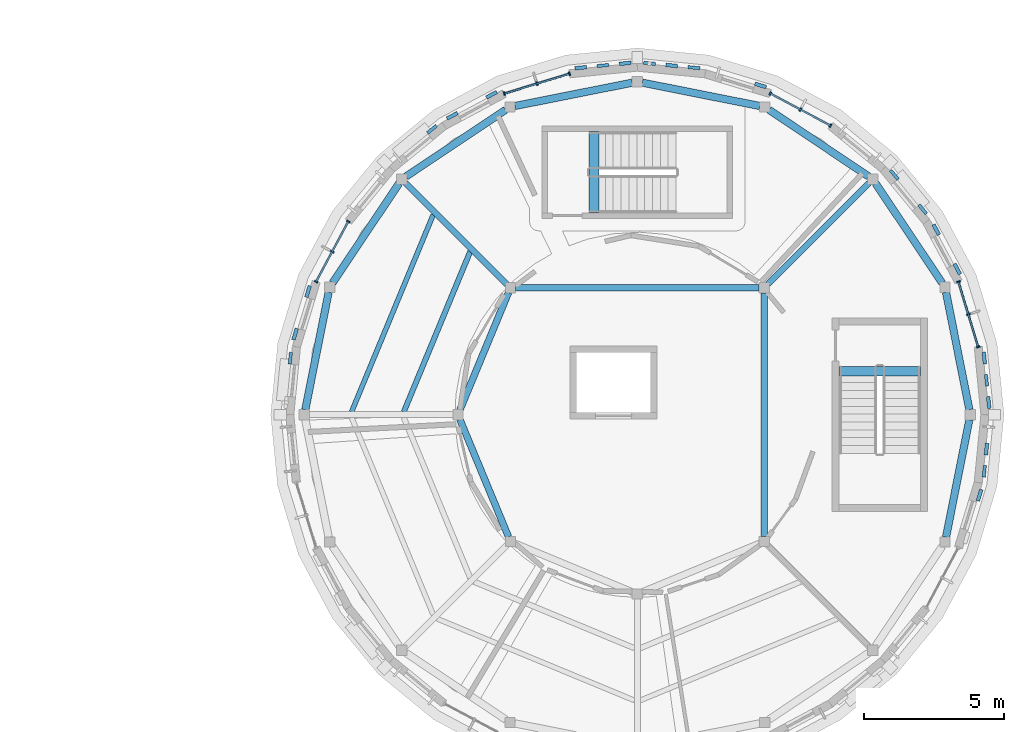
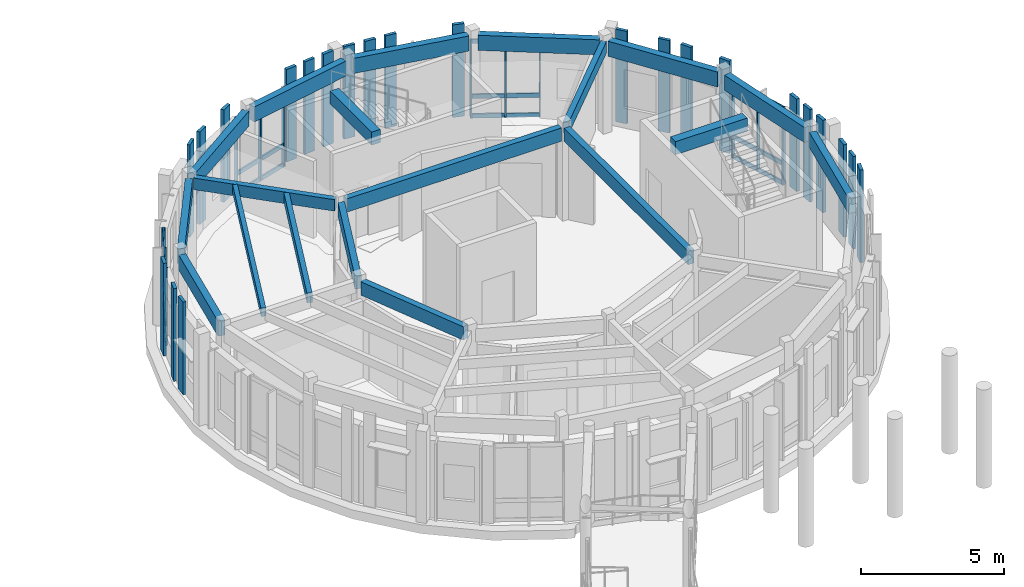
# One storey, part 29 of 80: 47 members, 19 beams, 4 elements without a shape of their own.
"""IFC4 building model written with IfcOpenShell, lengths in metres."""

from ifc_helpers import new_model, si_unit, direction, frame, origin, origin_2d, place, context, subcontext, project, spatial, rectangle, extrude, material, layer, layer_set, material_profile, profile_set, type_object, element, aggregate, save


model = new_model("IFC4")

# Units and contexts
model_context = context("Model", 3, precision=1e-05, world=origin(), true_north=direction((0.0, 1.0)))
body_context = subcontext(model_context, "Body", "Model", "MODEL_VIEW")
ifc_project = project(units=[si_unit("LENGTHUNIT", "METRE"), si_unit("AREAUNIT", "SQUARE_METRE"), si_unit("VOLUMEUNIT", "CUBIC_METRE"), si_unit("PLANEANGLEUNIT", "RADIAN"), si_unit("MASSUNIT", "GRAM", prefix="KILO")], contexts=[model_context])

# Site, building, storey
site_placement = place(None, origin())
site = spatial("IfcSite", under=ifc_project, at=site_placement, CompositionType="ELEMENT")
building_placement = place(site_placement, origin())
building = spatial("IfcBuilding", under=site, at=building_placement, Name="Aldenvaro Health Centre", CompositionType="ELEMENT")
storey_placement = place(building_placement, frame((0.0, 0.0, 4.550048828125)))
storey = spatial("IfcBuildingStorey", under=building, at=storey_placement, Name="L01", CompositionType="ELEMENT", Elevation=4.550048828125)

# Beams
ifc_material_1 = material(Name="Glulam GL28h", Category="wood")
ifc_material_profile_1 = material_profile(ifc_material_1, rectangle(XDim=0.175048828125, YDim=0.35009765625, at=origin_2d()), Name="GL 175x350", Category="wood")
ifc_profile_set_1 = profile_set([ifc_material_profile_1], Name="Glulam GL28h")
beam_type_1 = type_object("IfcBeamType", Name="BM-GL-350", PredefinedType="JOIST", material=ifc_profile_set_1)
beam_1_placement = place(storey_placement, frame((147.220947265625, 106.637939453125, 3.780029296875), z_axis=(-0.382732904244, -0.923859039036, 0.0), x_axis=(0.923859039036, -0.382732904244, 0.0)))
element("IfcBeam", 1, at=beam_1_placement, inside=storey, type_object=beam_type_1, Name="D2 L01 secondary joist 02.2", PredefinedType="JOIST", context=body_context, shape_type="SweptSolid", body=[
    extrude(rectangle(XDim=0.175048828125, YDim=0.35009765625, at=origin_2d()), origin(), (0.0, 0.0, 1.0), 7.618896484375),
])
ifc_material_profile_2 = material_profile(ifc_material_1, rectangle(XDim=0.18994140625, YDim=0.41796875, at=origin_2d()), Name="GL 190x418", Category="wood")
ifc_profile_set_2 = profile_set([ifc_material_profile_2], Name="Glulam GL28h")
beam_type_2 = type_object("IfcBeamType", Name="BM-GL-418", PredefinedType="JOIST", material=ifc_profile_set_2)
beam_2_placement = place(storey_placement, frame((148.5390625, 105.321044921875, 3.745849609375), z_axis=(-0.382820589001, -0.923822708444, 0.0), x_axis=(0.923822708444, -0.382820589001, 0.0)))
element("IfcBeam", 2, at=beam_2_placement, inside=storey, type_object=beam_type_2, Name="D2 L01 secondary joist 02.1", PredefinedType="JOIST", context=body_context, shape_type="SweptSolid", body=[
    extrude(rectangle(XDim=0.18994140625, YDim=0.41796875, at=origin_2d()), origin(), (0.0, 0.0, 1.0), 6.19384765625),
])
ifc_material_profile_3 = material_profile(ifc_material_1, rectangle(XDim=0.215087890625, YDim=0.493896484375, at=origin_2d()), Name="GL 215x494", Category="wood")
ifc_profile_set_3 = profile_set([ifc_material_profile_3], Name="Glulam GL28h")
beam_type_3 = type_object("IfcBeamType", Name="BM-GL-494", PredefinedType="BEAM", material=ifc_profile_set_3)
for number, where, z_axis, x_axis, name in (
    (3, (159.154052734375, 104.154052734375, 3.7080078125), (0.707106781187, 0.707106781187, 0.0), (-0.707106781187, 0.707106781187, 0.0), "D2 L01 radial beam 01"),
    (4, (149.845947265625, 104.154052734375, 3.7080078125), (-0.707106781187, 0.707106781187, 0.0), (-0.707106781187, -0.707106781187, 0.0), "D2 L01 radial beam 02"),
):
    element("IfcBeam", number, at=place(storey_placement, frame(where, z_axis=z_axis, x_axis=x_axis)), inside=storey, type_object=beam_type_3, Name=name, PredefinedType="BEAM", context=body_context, shape_type="SweptSolid", body=[
        extrude(rectangle(XDim=0.215087890625, YDim=0.493896484375, at=origin_2d()), origin(), (0.0, 0.0, 1.0), 5.115234375),
    ])
ifc_material_profile_4 = material_profile(ifc_material_1, rectangle(XDim=0.239990234375, YDim=0.570068359375, at=origin_2d()), Name="GL 240x570", Category="wood")
ifc_profile_set_4 = profile_set([ifc_material_profile_4], Name="Glulam GL28h")
beam_type_4 = type_object("IfcBeamType", Name="BM-GL-570", PredefinedType="BEAM", material=ifc_profile_set_4)
beam_3_placement = place(storey_placement, frame((158.843017578125, 104.02490234375, 3.669921875), z_axis=(-1.0, 0.0, 0.0), x_axis=(0.0, -1.0, 0.0)))
element("IfcBeam", 5, at=beam_3_placement, inside=storey, type_object=beam_type_4, Name="D2 L01 inner ring beam 01", PredefinedType="BEAM", context=body_context, shape_type="SweptSolid", body=[
    extrude(rectangle(XDim=0.239990234375, YDim=0.570068359375, at=origin_2d()), origin(), (0.0, 0.0, 1.0), 8.68603515625),
])
for number, where, z_axis, x_axis, name in (
    (6, (149.905029296875, 103.85595703125, 3.669921875), (-0.382832277795, -0.923817864667, 0.0), (0.923817864667, -0.382832277795, 0.0), "D2 L01 inner ring beam 02"),
    (7, (148.169921875, 99.3310546875, 3.669921875), (0.382832277795, -0.923817864667, 0.0), (0.923817864667, 0.382832277795, 0.0), "D2 L01 inner ring beam 03"),
):
    element("IfcBeam", number, at=place(storey_placement, frame(where, z_axis=z_axis, x_axis=x_axis)), inside=storey, type_object=beam_type_4, Name=name, PredefinedType="BEAM", context=body_context, shape_type="SweptSolid", body=[
        extrude(rectangle(XDim=0.239990234375, YDim=0.570068359375, at=origin_2d()), origin(), (0.0, 0.0, 1.0), 4.5322265625),
    ])
beam_4_placement = place(storey_placement, frame((159.02490234375, 95.156982421875, 3.669921875), z_axis=(0.0, 1.0, 0.0), x_axis=(-1.0, 0.0, 0.0)))
element("IfcBeam", 8, at=beam_4_placement, inside=storey, type_object=beam_type_4, Name="D2 L01 inner ring beam 06", PredefinedType="BEAM", context=body_context, shape_type="SweptSolid", body=[
    extrude(rectangle(XDim=0.239990234375, YDim=0.570068359375, at=origin_2d()), origin(), (0.0, 0.0, 1.0), 8.68603515625),
])
ifc_material_profile_5 = material_profile(ifc_material_1, rectangle(XDim=0.264892578125, YDim=0.64599609375, at=origin_2d()), Name="GL 265x646", Category="wood")
ifc_profile_set_5 = profile_set([ifc_material_profile_5], Name="Glulam GL28h")
beam_type_5 = type_object("IfcBeamType", Name="BM-GL-646", PredefinedType="SPANDREL", material=ifc_profile_set_5)
beam_5_placement = place(storey_placement, frame((166.343994140625, 99.678955078125, 3.6318359375), z_axis=(-0.19486245827, 0.980830577805, 0.0), x_axis=(-0.980830577805, -0.19486245827, 0.0)))
element("IfcBeam", 9, at=beam_5_placement, inside=storey, type_object=beam_type_5, Name="D2 L01 perimeter spandrel 01", PredefinedType="SPANDREL", context=body_context, shape_type="SweptSolid", body=[
    extrude(rectangle(XDim=0.264892578125, YDim=0.64599609375, at=origin_2d()), origin(), (0.0, 0.0, 1.0), 4.269775390625),
])
for number, where, z_axis, x_axis, name in (
    (10, (165.375, 104.197998046875, 3.6318359375), (-0.555886935474, 0.831257911222, 0.0), (-0.831257911222, -0.555886935474, 0.0), "D2 L01 perimeter spandrel 02"),
    (11, (162.748046875, 108.0009765625, 3.6318359375), (-0.831257911222, 0.555886935474, 0.0), (-0.555886935474, -0.831257911222, 0.0), "D2 L01 perimeter spandrel 03"),
):
    element("IfcBeam", number, at=place(storey_placement, frame(where, z_axis=z_axis, x_axis=x_axis)), inside=storey, type_object=beam_type_5, Name=name, PredefinedType="SPANDREL", context=body_context, shape_type="SweptSolid", body=[
        extrude(rectangle(XDim=0.264892578125, YDim=0.64599609375, at=origin_2d()), origin(), (0.0, 0.0, 1.0), 4.270751953125),
    ])
for number, where, z_axis, x_axis, name in (
    (12, (158.866943359375, 110.511962890625, 3.6318359375), (-0.980830577805, 0.19486245827, 0.0), (-0.19486245827, -0.980830577805, 0.0), "D2 L01 perimeter spandrel 04"),
    (13, (154.321044921875, 111.343994140625, 3.6318359375), (-0.980830577805, -0.19486245827, 0.0), (0.19486245827, -0.980830577805, 0.0), "D2 L01 perimeter spandrel 05"),
):
    element("IfcBeam", number, at=place(storey_placement, frame(where, z_axis=z_axis, x_axis=x_axis)), inside=storey, type_object=beam_type_5, Name=name, PredefinedType="SPANDREL", context=body_context, shape_type="SweptSolid", body=[
        extrude(rectangle(XDim=0.264892578125, YDim=0.64599609375, at=origin_2d()), origin(), (0.0, 0.0, 1.0), 4.269775390625),
    ])
for number, where, z_axis, x_axis, name in (
    (14, (149.802001953125, 110.375, 3.6318359375), (-0.831257911222, -0.555886935474, 0.0), (0.555886935474, -0.831257911222, 0.0), "D2 L01 perimeter spandrel 06"),
    (15, (145.9990234375, 107.748046875, 3.6318359375), (-0.555886935474, -0.831257911222, 0.0), (0.831257911222, -0.555886935474, 0.0), "D2 L01 perimeter spandrel 07"),
):
    element("IfcBeam", number, at=place(storey_placement, frame(where, z_axis=z_axis, x_axis=x_axis)), inside=storey, type_object=beam_type_5, Name=name, PredefinedType="SPANDREL", context=body_context, shape_type="SweptSolid", body=[
        extrude(rectangle(XDim=0.264892578125, YDim=0.64599609375, at=origin_2d()), origin(), (0.0, 0.0, 1.0), 4.270751953125),
    ])
for number, where, z_axis, x_axis, name in (
    (16, (143.488037109375, 103.866943359375, 3.6318359375), (-0.19486245827, -0.980830577805, 0.0), (0.980830577805, -0.19486245827, 0.0), "D2 L01 perimeter spandrel 08"),
    (17, (165.511962890625, 95.133056640625, 3.6318359375), (0.19486245827, 0.980830577805, 0.0), (-0.980830577805, 0.19486245827, 0.0), "D2 L01 perimeter spandrel 16"),
):
    element("IfcBeam", number, at=place(storey_placement, frame(where, z_axis=z_axis, x_axis=x_axis)), inside=storey, type_object=beam_type_5, Name=name, PredefinedType="SPANDREL", context=body_context, shape_type="SweptSolid", body=[
        extrude(rectangle(XDim=0.264892578125, YDim=0.64599609375, at=origin_2d()), origin(), (0.0, 0.0, 1.0), 4.269775390625),
    ])
ifc_material_2 = material(Name="Concrete f'c 40 MPa", Category="concrete")
ifc_material_profile_6 = material_profile(ifc_material_2, rectangle(XDim=0.35009765625, YDim=0.56005859375, at=origin_2d()), Name="RC 350x560", Category="concrete")
ifc_profile_set_6 = profile_set([ifc_material_profile_6], Name="Concrete f'c 40 MPa")
beam_type_6 = type_object("IfcBeamType", Name="BM-RC-560", PredefinedType="JOIST", material=ifc_profile_set_6)
for number, where, z_axis, x_axis, name in (
    (18, (161.699951171875, 101.050048828125, 3.919921875), (1.0, 0.0, 0.0), (0.0, 1.0, 0.0), "ST-03 L02 stair landing trimmer beam"),
    (19, (152.949951171875, 106.699951171875, 3.919921875), (0.0, 1.0, 0.0), (-1.0, 0.0, 0.0), "ST-04 L02 stair landing trimmer beam"),
):
    element("IfcBeam", number, at=place(storey_placement, frame(where, z_axis=z_axis, x_axis=x_axis)), inside=storey, type_object=beam_type_6, Name=name, PredefinedType="JOIST", context=body_context, shape_type="SweptSolid", body=[
        extrude(rectangle(XDim=0.35009765625, YDim=0.56005859375, at=origin_2d()), origin(), (0.0, 0.0, 1.0), 2.900146484375),
    ])

# Curtain wall, members
ifc_material_3 = material(Name="Anodised Aluminium 6063-T6", Category="aluminium")
ifc_layer = layer(ifc_material_3, 0.195068359375, Name="Anodised Aluminium 6063-T6", Category="aluminium")
ifc_layer_set = layer_set([ifc_layer], Name="Anodised Aluminium 6063-T6")
curtain_wall_type = type_object("IfcCurtainWallType", Name="CW-CLN-02", PredefinedType="NOTDEFINED", material=ifc_layer_set)
curtain_wall_1_placement = place(storey_placement, origin())
curtain_wall_1 = element("IfcCurtainWall", 20, at=curtain_wall_1_placement, inside=storey, type_object=curtain_wall_type, Name="D2 L01 curtain wall bay 19", PredefinedType="NOTDEFINED")
ifc_material_profile_7 = material_profile(ifc_material_3, rectangle(XDim=0.06005859375, YDim=0.135009765625, at=origin_2d()), Name="ALU 60x135", Category="aluminium")
ifc_profile_set_7 = profile_set([ifc_material_profile_7], Name="Anodised Aluminium 6063-T6")
member_type_1 = type_object("IfcMemberType", Name="CWM-150", PredefinedType="MULLION", material=ifc_profile_set_7)
member_1_placement = place(storey_placement, frame((143.0439453125, 104.2451171875, 0.0), z_axis=(0.0, 0.0, 1.0), x_axis=(0.471399336159, 0.881919874971, 0.0)))
member_1 = element("IfcMember", 21, at=member_1_placement, type_object=member_type_1, Name="D2 L01 curtain wall bay 19 mullion 1", PredefinedType="MULLION", context=body_context, shape_type="SweptSolid", body=[
    extrude(rectangle(XDim=0.06005859375, YDim=0.135009765625, at=origin_2d()), origin(), (0.0, 0.0, 1.0), 3.308837890625),
])
member_2_placement = place(storey_placement, frame((143.616943359375, 105.31689453125, 0.0), z_axis=(0.0, 0.0, 1.0), x_axis=(0.471399336159, 0.881919874971, 0.0)))
member_2 = element("IfcMember", 22, at=member_2_placement, type_object=member_type_1, Name="D2 L01 curtain wall bay 19 mullion 2", PredefinedType="MULLION", context=body_context, shape_type="SweptSolid", body=[
    extrude(rectangle(XDim=0.06005859375, YDim=0.135009765625, at=origin_2d()), origin(), (0.0, 0.0, 1.0), 3.308837890625),
])
member_3_placement = place(storey_placement, frame((144.18994140625, 106.388916015625, 0.0), z_axis=(0.0, 0.0, 1.0), x_axis=(0.471399336159, 0.881919874971, 0.0)))
member_3 = element("IfcMember", 23, at=member_3_placement, type_object=member_type_1, Name="D2 L01 curtain wall bay 19 mullion 3", PredefinedType="MULLION", context=body_context, shape_type="SweptSolid", body=[
    extrude(rectangle(XDim=0.06005859375, YDim=0.135009765625, at=origin_2d()), origin(), (0.0, 0.0, 1.0), 3.308837890625),
])

curtain_wall_2_placement = place(storey_placement, origin())
curtain_wall_2 = element("IfcCurtainWall", 24, at=curtain_wall_2_placement, inside=storey, type_object=curtain_wall_type, Name="D2 L01 curtain wall bay 23", PredefinedType="NOTDEFINED")
member_4_placement = place(storey_placement, frame((149.7548828125, 110.9560546875, 0.0), z_axis=(0.0, 0.0, 1.0), x_axis=(0.956892827403, 0.290441245116, 0.0)))
member_4 = element("IfcMember", 25, at=member_4_placement, type_object=member_type_1, Name="D2 L01 curtain wall bay 23 mullion 1", PredefinedType="MULLION", context=body_context, shape_type="SweptSolid", body=[
    extrude(rectangle(XDim=0.06005859375, YDim=0.135009765625, at=origin_2d()), origin(), (0.0, 0.0, 1.0), 3.308837890625),
])
member_5_placement = place(storey_placement, frame((150.91796875, 111.30908203125, 0.0), z_axis=(0.0, 0.0, 1.0), x_axis=(0.956892827403, 0.290441245116, 0.0)))
member_5 = element("IfcMember", 26, at=member_5_placement, type_object=member_type_1, Name="D2 L01 curtain wall bay 23 mullion 2", PredefinedType="MULLION", context=body_context, shape_type="SweptSolid", body=[
    extrude(rectangle(XDim=0.06005859375, YDim=0.135009765625, at=origin_2d()), origin(), (0.0, 0.0, 1.0), 3.308837890625),
])
member_6_placement = place(storey_placement, frame((152.0810546875, 111.662109375, 0.0), z_axis=(0.0, 0.0, 1.0), x_axis=(0.956892827403, 0.290441245116, 0.0)))
member_6 = element("IfcMember", 27, at=member_6_placement, type_object=member_type_1, Name="D2 L01 curtain wall bay 23 mullion 3", PredefinedType="MULLION", context=body_context, shape_type="SweptSolid", body=[
    extrude(rectangle(XDim=0.06005859375, YDim=0.135009765625, at=origin_2d()), origin(), (0.0, 0.0, 1.0), 3.308837890625),
])

curtain_wall_3_placement = place(storey_placement, origin())
curtain_wall_3 = element("IfcCurtainWall", 28, at=curtain_wall_3_placement, inside=storey, type_object=curtain_wall_type, Name="D2 L01 curtain wall bay 27", PredefinedType="NOTDEFINED")
member_7_placement = place(storey_placement, frame((159.2451171875, 110.9560546875, 0.0), z_axis=(0.0, 0.0, 1.0), x_axis=(0.881919874971, -0.471399336159, 0.0)))
member_7 = element("IfcMember", 29, at=member_7_placement, type_object=member_type_1, Name="D2 L01 curtain wall bay 27 mullion 1", PredefinedType="MULLION", context=body_context, shape_type="SweptSolid", body=[
    extrude(rectangle(XDim=0.06005859375, YDim=0.135009765625, at=origin_2d()), origin(), (0.0, 0.0, 1.0), 3.308837890625),
])
member_8_placement = place(storey_placement, frame((160.31689453125, 110.383056640625, 0.0), z_axis=(0.0, 0.0, 1.0), x_axis=(0.881919874971, -0.471399336159, 0.0)))
member_8 = element("IfcMember", 30, at=member_8_placement, type_object=member_type_1, Name="D2 L01 curtain wall bay 27 mullion 2", PredefinedType="MULLION", context=body_context, shape_type="SweptSolid", body=[
    extrude(rectangle(XDim=0.06005859375, YDim=0.135009765625, at=origin_2d()), origin(), (0.0, 0.0, 1.0), 3.308837890625),
])
member_9_placement = place(storey_placement, frame((161.388916015625, 109.81005859375, 0.0), z_axis=(0.0, 0.0, 1.0), x_axis=(0.881919874971, -0.471399336159, 0.0)))
member_9 = element("IfcMember", 31, at=member_9_placement, type_object=member_type_1, Name="D2 L01 curtain wall bay 27 mullion 3", PredefinedType="MULLION", context=body_context, shape_type="SweptSolid", body=[
    extrude(rectangle(XDim=0.06005859375, YDim=0.135009765625, at=origin_2d()), origin(), (0.0, 0.0, 1.0), 3.308837890625),
])

curtain_wall_4_placement = place(storey_placement, origin())
curtain_wall_4 = element("IfcCurtainWall", 32, at=curtain_wall_4_placement, inside=storey, type_object=curtain_wall_type, Name="D2 L01 curtain wall bay 31", PredefinedType="NOTDEFINED")
member_10_placement = place(storey_placement, frame((165.9560546875, 104.2451171875, 0.0), z_axis=(0.0, 0.0, 1.0), x_axis=(0.290441245116, -0.956892827403, 0.0)))
member_10 = element("IfcMember", 33, at=member_10_placement, type_object=member_type_1, Name="D2 L01 curtain wall bay 31 mullion 1", PredefinedType="MULLION", context=body_context, shape_type="SweptSolid", body=[
    extrude(rectangle(XDim=0.06005859375, YDim=0.135009765625, at=origin_2d()), origin(), (0.0, 0.0, 1.0), 3.308837890625),
])
member_11_placement = place(storey_placement, frame((166.30908203125, 103.08203125, 0.0), z_axis=(0.0, 0.0, 1.0), x_axis=(0.290441245116, -0.956892827403, 0.0)))
member_11 = element("IfcMember", 34, at=member_11_placement, type_object=member_type_1, Name="D2 L01 curtain wall bay 31 mullion 2", PredefinedType="MULLION", context=body_context, shape_type="SweptSolid", body=[
    extrude(rectangle(XDim=0.06005859375, YDim=0.135009765625, at=origin_2d()), origin(), (0.0, 0.0, 1.0), 3.308837890625),
])
member_12_placement = place(storey_placement, frame((166.662109375, 101.9189453125, 0.0), z_axis=(0.0, 0.0, 1.0), x_axis=(0.290441245116, -0.956892827403, 0.0)))
member_12 = element("IfcMember", 35, at=member_12_placement, type_object=member_type_1, Name="D2 L01 curtain wall bay 31 mullion 3", PredefinedType="MULLION", context=body_context, shape_type="SweptSolid", body=[
    extrude(rectangle(XDim=0.06005859375, YDim=0.135009765625, at=origin_2d()), origin(), (0.0, 0.0, 1.0), 3.308837890625),
])

# Member
ifc_material_profile_8 = material_profile(ifc_material_3, rectangle(XDim=0.06494140625, YDim=0.179931640625, at=origin_2d()), Name="ALU 65x180", Category="aluminium")
ifc_profile_set_8 = profile_set([ifc_material_profile_8], Name="Anodised Aluminium 6063-T6")
member_type_2 = type_object("IfcMemberType", Name="CWT-150", PredefinedType="USERDEFINED", material=ifc_profile_set_8)
member_13_placement = place(storey_placement, frame((143.0439453125, 104.2451171875, 0.06005859375), z_axis=(0.471432490996, 0.881902152415, 0.0), x_axis=(-0.881902152415, 0.471432490996, 0.0)))
member_13 = element("IfcMember", 36, at=member_13_placement, type_object=member_type_2, Name="D2 L01 curtain wall bay 19 transom 1", ObjectType="TRANSOM", PredefinedType="USERDEFINED", context=body_context, shape_type="SweptSolid", body=[
    extrude(rectangle(XDim=0.06494140625, YDim=0.179931640625, at=origin_2d()), origin(), (0.0, 0.0, 1.0), 2.430908203125),
])

member_14_placement = place(storey_placement, frame((143.0439453125, 104.2451171875, 0.89990234375), z_axis=(0.471432490996, 0.881902152415, 0.0), x_axis=(-0.881902152415, 0.471432490996, 0.0)))
member_14 = element("IfcMember", 37, at=member_14_placement, type_object=member_type_2, Name="D2 L01 curtain wall bay 19 transom 2", ObjectType="TRANSOM", PredefinedType="USERDEFINED", context=body_context, shape_type="SweptSolid", body=[
    extrude(rectangle(XDim=0.06494140625, YDim=0.179931640625, at=origin_2d()), origin(), (0.0, 0.0, 1.0), 2.430908203125),
])

member_15_placement = place(storey_placement, frame((143.0439453125, 104.2451171875, 3.2490234375), z_axis=(0.471432490996, 0.881902152415, 0.0), x_axis=(-0.881902152415, 0.471432490996, 0.0)))
member_15 = element("IfcMember", 38, at=member_15_placement, type_object=member_type_2, Name="D2 L01 curtain wall bay 19 transom 3", ObjectType="TRANSOM", PredefinedType="USERDEFINED", context=body_context, shape_type="SweptSolid", body=[
    extrude(rectangle(XDim=0.06494140625, YDim=0.179931640625, at=origin_2d()), origin(), (0.0, 0.0, 1.0), 2.430908203125),
])

aggregate(curtain_wall_1, [member_1, member_2, member_3, member_13, member_14, member_15])

member_16_placement = place(storey_placement, frame((149.7548828125, 110.9560546875, 0.06005859375), z_axis=(0.956892539407, 0.290442193951, 0.0), x_axis=(-0.290442193951, 0.956892539407, 0.0)))
member_16 = element("IfcMember", 39, at=member_16_placement, type_object=member_type_2, Name="D2 L01 curtain wall bay 23 transom 1", ObjectType="TRANSOM", PredefinedType="USERDEFINED", context=body_context, shape_type="SweptSolid", body=[
    extrude(rectangle(XDim=0.06494140625, YDim=0.179931640625, at=origin_2d()), origin(), (0.0, 0.0, 1.0), 2.430908203125),
])

member_17_placement = place(storey_placement, frame((149.7548828125, 110.9560546875, 0.89990234375), z_axis=(0.956892539407, 0.290442193951, 0.0), x_axis=(-0.290442193951, 0.956892539407, 0.0)))
member_17 = element("IfcMember", 40, at=member_17_placement, type_object=member_type_2, Name="D2 L01 curtain wall bay 23 transom 2", ObjectType="TRANSOM", PredefinedType="USERDEFINED", context=body_context, shape_type="SweptSolid", body=[
    extrude(rectangle(XDim=0.06494140625, YDim=0.179931640625, at=origin_2d()), origin(), (0.0, 0.0, 1.0), 2.430908203125),
])

member_18_placement = place(storey_placement, frame((149.7548828125, 110.9560546875, 3.2490234375), z_axis=(0.956892539407, 0.290442193951, 0.0), x_axis=(-0.290442193951, 0.956892539407, 0.0)))
member_18 = element("IfcMember", 41, at=member_18_placement, type_object=member_type_2, Name="D2 L01 curtain wall bay 23 transom 3", ObjectType="TRANSOM", PredefinedType="USERDEFINED", context=body_context, shape_type="SweptSolid", body=[
    extrude(rectangle(XDim=0.06494140625, YDim=0.179931640625, at=origin_2d()), origin(), (0.0, 0.0, 1.0), 2.430908203125),
])

aggregate(curtain_wall_2, [member_4, member_5, member_6, member_16, member_17, member_18])

member_19_placement = place(storey_placement, frame((159.2451171875, 110.9560546875, 0.06005859375), z_axis=(0.881902152415, -0.471432490996, 0.0), x_axis=(0.471432490996, 0.881902152415, 0.0)))
member_19 = element("IfcMember", 42, at=member_19_placement, type_object=member_type_2, Name="D2 L01 curtain wall bay 27 transom 1", ObjectType="TRANSOM", PredefinedType="USERDEFINED", context=body_context, shape_type="SweptSolid", body=[
    extrude(rectangle(XDim=0.06494140625, YDim=0.179931640625, at=origin_2d()), origin(), (0.0, 0.0, 1.0), 2.430908203125),
])

member_20_placement = place(storey_placement, frame((159.2451171875, 110.9560546875, 0.89990234375), z_axis=(0.881902152415, -0.471432490996, 0.0), x_axis=(0.471432490996, 0.881902152415, 0.0)))
member_20 = element("IfcMember", 43, at=member_20_placement, type_object=member_type_2, Name="D2 L01 curtain wall bay 27 transom 2", ObjectType="TRANSOM", PredefinedType="USERDEFINED", context=body_context, shape_type="SweptSolid", body=[
    extrude(rectangle(XDim=0.06494140625, YDim=0.179931640625, at=origin_2d()), origin(), (0.0, 0.0, 1.0), 2.430908203125),
])

member_21_placement = place(storey_placement, frame((159.2451171875, 110.9560546875, 3.2490234375), z_axis=(0.881902152415, -0.471432490996, 0.0), x_axis=(0.471432490996, 0.881902152415, 0.0)))
member_21 = element("IfcMember", 44, at=member_21_placement, type_object=member_type_2, Name="D2 L01 curtain wall bay 27 transom 3", ObjectType="TRANSOM", PredefinedType="USERDEFINED", context=body_context, shape_type="SweptSolid", body=[
    extrude(rectangle(XDim=0.06494140625, YDim=0.179931640625, at=origin_2d()), origin(), (0.0, 0.0, 1.0), 2.430908203125),
])

aggregate(curtain_wall_3, [member_7, member_8, member_9, member_19, member_20, member_21])

member_22_placement = place(storey_placement, frame((165.9560546875, 104.2451171875, 0.06005859375), z_axis=(0.290442193951, -0.956892539407, 0.0), x_axis=(0.956892539407, 0.290442193951, 0.0)))
member_22 = element("IfcMember", 45, at=member_22_placement, type_object=member_type_2, Name="D2 L01 curtain wall bay 31 transom 1", ObjectType="TRANSOM", PredefinedType="USERDEFINED", context=body_context, shape_type="SweptSolid", body=[
    extrude(rectangle(XDim=0.06494140625, YDim=0.179931640625, at=origin_2d()), origin(), (0.0, 0.0, 1.0), 2.430908203125),
])

member_23_placement = place(storey_placement, frame((165.9560546875, 104.2451171875, 0.89990234375), z_axis=(0.290442193951, -0.956892539407, 0.0), x_axis=(0.956892539407, 0.290442193951, 0.0)))
member_23 = element("IfcMember", 46, at=member_23_placement, type_object=member_type_2, Name="D2 L01 curtain wall bay 31 transom 2", ObjectType="TRANSOM", PredefinedType="USERDEFINED", context=body_context, shape_type="SweptSolid", body=[
    extrude(rectangle(XDim=0.06494140625, YDim=0.179931640625, at=origin_2d()), origin(), (0.0, 0.0, 1.0), 2.430908203125),
])

member_24_placement = place(storey_placement, frame((165.9560546875, 104.2451171875, 3.2490234375), z_axis=(0.290442193951, -0.956892539407, 0.0), x_axis=(0.956892539407, 0.290442193951, 0.0)))
member_24 = element("IfcMember", 47, at=member_24_placement, type_object=member_type_2, Name="D2 L01 curtain wall bay 31 transom 3", ObjectType="TRANSOM", PredefinedType="USERDEFINED", context=body_context, shape_type="SweptSolid", body=[
    extrude(rectangle(XDim=0.06494140625, YDim=0.179931640625, at=origin_2d()), origin(), (0.0, 0.0, 1.0), 2.430908203125),
])

aggregate(curtain_wall_4, [member_10, member_11, member_12, member_22, member_23, member_24])

# Members
ifc_material_profile_9 = material_profile(ifc_material_1, rectangle(XDim=0.114990234375, YDim=0.419921875, at=origin_2d()), Name="GL 115x420", Category="wood")
ifc_profile_set_9 = profile_set([ifc_material_profile_9], Name="Glulam GL28h")
member_type_3 = type_object("IfcMemberType", Name="MEM-SLT-420A", PredefinedType="POST", material=ifc_profile_set_9)
for number, where, z_axis, x_axis, name in (
    (48, (166.876953125, 97.48193359375, 0.0), (0.0, 0.0, 1.0), (0.995194782414, -0.097914988926, 0.0), "D2 L01 vertical timber slat 1.3"),
    (49, (142.123046875, 101.51806640625, 0.0), (0.0, 0.0, 1.0), (-0.995194782414, 0.097914988926, 0.0), "D2 L01 vertical timber slat 17.3"),
    (50, (147.175048828125, 109.678955078125, 0.0), (0.0, 0.0, 1.0), (-0.634379653268, 0.773021639749, 0.0), "D2 L01 vertical timber slat 21.3"),
    (51, (153.27294921875, 111.955078125, 0.0), (0.0, 0.0, 1.0), (-0.097914988926, 0.995194782414, 0.0), "D2 L01 vertical timber slat 24.2"),
    (52, (154.93505859375, 112.032958984375, 0.0), (0.0, 0.0, 1.0), (0.097914988926, 0.995194782414, 0.0), "D2 L01 vertical timber slat 25.1"),
    (53, (156.51806640625, 111.876953125, 0.0), (0.0, 0.0, 1.0), (0.097914988926, 0.995194782414, 0.0), "D2 L01 vertical timber slat 25.3"),
    (54, (163.669921875, 108.053955078125, 0.0), (0.0, 0.0, 1.0), (0.773021639749, 0.634379653268, 0.0), "D2 L01 vertical timber slat 29.1"),
    (55, (164.678955078125, 106.824951171875, 0.0), (0.0, 0.0, 1.0), (0.773021639749, 0.634379653268, 0.0), "D2 L01 vertical timber slat 29.3"),
    (56, (166.955078125, 100.72705078125, 0.0), (0.0, 0.0, 1.0), (0.995194782414, 0.097914988926, 0.0), "D2 L01 vertical timber slat 32.2"),
):
    element("IfcMember", number, at=place(storey_placement, frame(where, z_axis=z_axis, x_axis=x_axis)), inside=storey, type_object=member_type_3, Name=name, PredefinedType="POST", context=body_context, shape_type="SweptSolid", body=[
        extrude(rectangle(XDim=0.114990234375, YDim=0.419921875, at=origin_2d()), origin(), (0.0, 0.0, 1.0), 3.954833984375),
    ])
ifc_material_profile_10 = material_profile(ifc_material_1, rectangle(XDim=0.1298828125, YDim=0.419921875, at=origin_2d()), Name="GL 130x420", Category="wood")
ifc_profile_set_10 = profile_set([ifc_material_profile_10], Name="Glulam GL28h")
member_type_4 = type_object("IfcMemberType", Name="MEM-SLT-420B", PredefinedType="POST", material=ifc_profile_set_10)
for number, where, z_axis, x_axis, name in (
    (57, (166.955078125, 98.27294921875, 0.0), (0.0, 0.0, 1.0), (0.995194782414, -0.097914988926, 0.0), "D2 L01 vertical timber slat 1.2"),
    (58, (166.70703125, 96.6279296875, 0.0), (0.0, 0.0, 1.0), (0.956892827403, -0.290441245116, 0.0), "D2 L01 vertical timber slat 2.1"),
    (59, (142.29296875, 102.3720703125, 0.0), (0.0, 0.0, 1.0), (-0.956892827403, 0.290441245116, 0.0), "D2 L01 vertical timber slat 18.1"),
    (60, (142.7548828125, 103.89404296875, 0.0), (0.0, 0.0, 1.0), (-0.956892827403, 0.290441245116, 0.0), "D2 L01 vertical timber slat 18.3"),
    (61, (147.89892578125, 110.162109375, 0.0), (0.0, 0.0, 1.0), (-0.471399336159, 0.881919874971, 0.0), "D2 L01 vertical timber slat 22.1"),
    (62, (149.302001953125, 110.912109375, 0.0), (0.0, 0.0, 1.0), (-0.471399336159, 0.881919874971, 0.0), "D2 L01 vertical timber slat 22.3"),
    (63, (152.48193359375, 111.876953125, 0.0), (0.0, 0.0, 1.0), (-0.097914988926, 0.995194782414, 0.0), "D2 L01 vertical timber slat 24.1"),
    (64, (154.06494140625, 112.032958984375, 0.0), (0.0, 0.0, 1.0), (-0.097914988926, 0.995194782414, 0.0), "D2 L01 vertical timber slat 24.3"),
    (65, (155.72705078125, 111.955078125, 0.0), (0.0, 0.0, 1.0), (0.097914988926, 0.995194782414, 0.0), "D2 L01 vertical timber slat 25.2"),
    (66, (158.89404296875, 111.2451171875, 0.0), (0.0, 0.0, 1.0), (0.290441245116, 0.956892827403, 0.0), "D2 L01 vertical timber slat 26.3"),
    (67, (165.162109375, 106.10107421875, 0.0), (0.0, 0.0, 1.0), (0.881919874971, 0.471399336159, 0.0), "D2 L01 vertical timber slat 30.1"),
    (68, (165.912109375, 104.697998046875, 0.0), (0.0, 0.0, 1.0), (0.881919874971, 0.471399336159, 0.0), "D2 L01 vertical timber slat 30.3"),
    (69, (166.876953125, 101.51806640625, 0.0), (0.0, 0.0, 1.0), (0.995194782414, 0.097914988926, 0.0), "D2 L01 vertical timber slat 32.1"),
    (70, (167.032958984375, 99.93505859375, 0.0), (0.0, 0.0, 1.0), (0.995194782414, 0.097914988926, 0.0), "D2 L01 vertical timber slat 32.3"),
):
    element("IfcMember", number, at=place(storey_placement, frame(where, z_axis=z_axis, x_axis=x_axis)), inside=storey, type_object=member_type_4, Name=name, PredefinedType="POST", context=body_context, shape_type="SweptSolid", body=[
        extrude(rectangle(XDim=0.1298828125, YDim=0.419921875, at=origin_2d()), origin(), (0.0, 0.0, 1.0), 3.954833984375),
    ])

save(model, "model.ifc")
